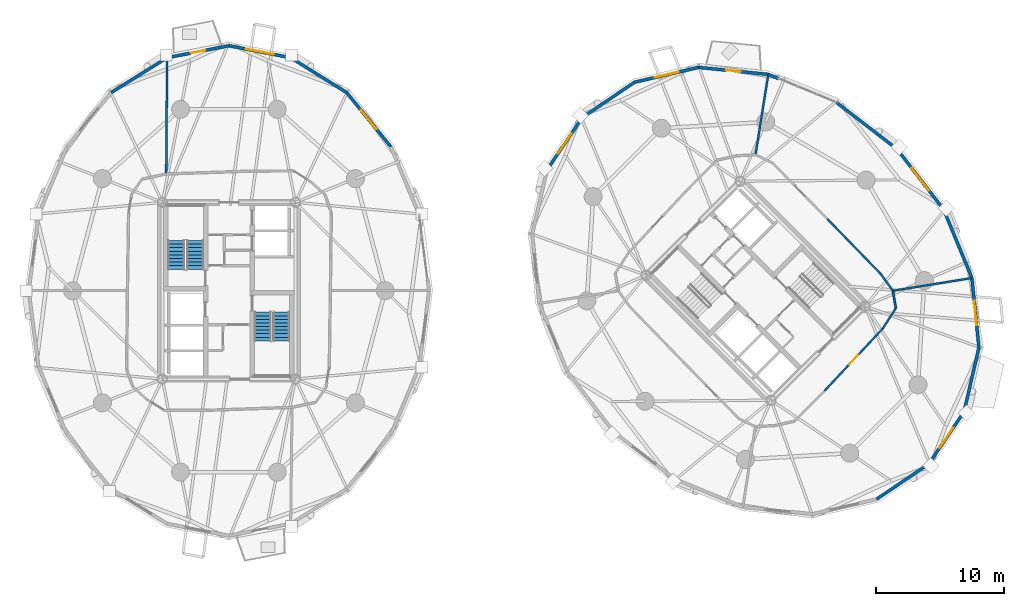
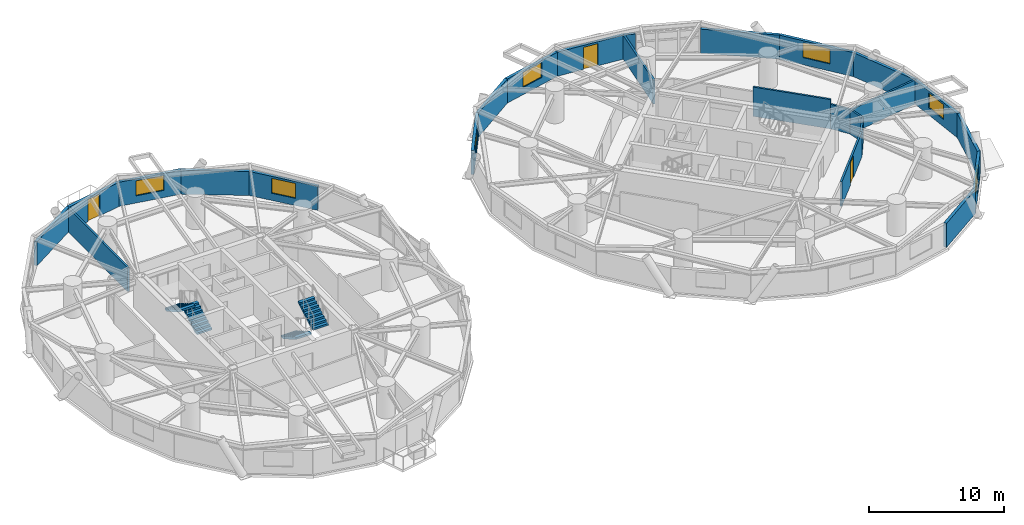
# One storey, part 14 of 18: 25 walls, 7 windows, 4 stair flights, 3 doors, 10 openings, 2 elements without a shape of their own.
"""IFC4 building model written with IfcOpenShell, lengths in metres."""

from ifc_helpers import new_model, si_unit, direction, frame, frame_2d, origin, place, context, subcontext, project, spatial, polyline, rectangle, outline, extrude, source, transform, mapped, material, layer, layer_set, type_object, element, fill, aggregate, save


model = new_model("IFC4")

# Units and contexts
model_context = context("Model", 3, precision=1e-05, world=origin(), true_north=direction((0.0, 1.0)))
body_context = subcontext(model_context, "Body", "Model", "MODEL_VIEW")
ifc_project = project(units=[si_unit("LENGTHUNIT", "METRE"), si_unit("AREAUNIT", "SQUARE_METRE"), si_unit("VOLUMEUNIT", "CUBIC_METRE"), si_unit("PLANEANGLEUNIT", "RADIAN"), si_unit("MASSUNIT", "GRAM", prefix="KILO")], contexts=[model_context])

# Site, building, storey
site_placement = place(None, origin())
site = spatial("IfcSite", under=ifc_project, at=site_placement, CompositionType="ELEMENT")
building_placement = place(site_placement, origin())
building = spatial("IfcBuilding", under=site, at=building_placement, Name="Cununo Teusaquillo Station Towers", CompositionType="ELEMENT")
storey_placement = place(building_placement, frame((0.0, 0.0, 75.969970703125)))
storey = spatial("IfcBuildingStorey", under=building, at=storey_placement, Name="L23", CompositionType="ELEMENT", Elevation=75.969970703125)

# Wall, opening, window
ifc_material_1 = material(Name="Precast concrete C40/50", Category="concrete")
ifc_layer_1 = layer(ifc_material_1, 0.239990234375)
ifc_layer_set_1 = layer_set([ifc_layer_1], Name="Precast concrete C40/50")
wall_type_1 = type_object("IfcWallType", Name="WL-EXT-240", PredefinedType="SOLIDWALL", material=ifc_layer_set_1)
wall_1_placement = place(storey_placement, frame((25.658203125, 39.927978515625, 0.0), z_axis=(0.0, 0.0, 1.0), x_axis=(0.632700781152, -0.77439635945, 0.0)))
wall_1 = element("IfcWall", 1, at=wall_1_placement, inside=storey, type_object=wall_type_1, Name="L23 Tower A Exterior Facade Wall C02", PredefinedType="SOLIDWALL", context=body_context, shape_type="SweptSolid", body=[
    extrude(rectangle(XDim=5.447998046875, YDim=0.239990234375, at=frame_2d((2.72412109375, 0.0))), origin(), (0.0, 0.0, 1.0), 2.178955078125),
])
shared_shape_1 = source(origin(), body_context, "Body", "SweptSolid", [
    extrude(rectangle(XDim=1.89990234375, YDim=1.35009765625, at=frame_2d((0.949951171875, 0.675048828125))), frame((0.0, 0.1298828125, 0.0), z_axis=(0.0, -1.0, 0.0), x_axis=(1.0, 0.0, 0.0)), (0.0, 0.0, 1.0), 0.260009765625),
])
opening_1_placement = place(wall_1_placement, frame((1.77392578125, 0.0, 0.64990234375)))
opening_1 = element("IfcOpeningElement", 2, at=opening_1_placement, cuts=wall_1, Name="Opening WN-02", PredefinedType="OPENING", context=body_context, shape_type="MappedRepresentation", body=[
    mapped(shared_shape_1, transform((0.0, 0.0, 0.0), x_axis=(1.0, 0.0, 0.0), y_axis=(0.0, 1.0, 0.0), z_axis=(0.0, 0.0, 1.0), scale=1.0)),
])
ifc_material_2 = material(Name="Operable acoustic tinted low-E double glazing", Category="glass")
window_type_1 = type_object("IfcWindowType", Name="WIN-OPER-1900", PartitioningType="DOUBLE_PANEL_VERTICAL", PredefinedType="WINDOW", material=ifc_material_2)
shared_shape_2 = source(origin(), body_context, "Body", "SweptSolid", [
    extrude(rectangle(XDim=1.89990234375, YDim=1.35009765625, at=frame_2d((0.949951171875, 0.675048828125))), frame((0.0, 0.030029296875, 0.0), z_axis=(0.0, -1.0, 0.0), x_axis=(1.0, 0.0, 0.0)), (0.0, 0.0, 1.0), 0.06005859375),
])
window_1_placement = place(opening_1_placement, origin())
window_1 = element("IfcWindow", 3, at=window_1_placement, inside=storey, type_object=window_type_1, Name="L23 Tower A Facade Window C02", OverallHeight=1.35009765625, OverallWidth=1.89990234375, PartitioningType="DOUBLE_PANEL_VERTICAL", PredefinedType="WINDOW", context=body_context, shape_type="MappedRepresentation", body=[
    mapped(shared_shape_2, transform((0.0, 0.0, 0.0), x_axis=(1.0, 0.0, 0.0), y_axis=(0.0, 1.0, 0.0), z_axis=(0.0, 0.0, 1.0), scale=1.0)),
])
fill(opening_1, window_1)

# Wall
wall_2_placement = place(storey_placement, frame((21.314697265625, 42.63671875, 0.0), z_axis=(0.0, 0.0, 1.0), x_axis=(0.848520380187, -0.529162701263, 0.0)))
element("IfcWall", 4, at=wall_2_placement, inside=storey, type_object=wall_type_1, Name="L23 Tower A Exterior Facade Wall C03", PredefinedType="SOLIDWALL", context=body_context, shape_type="SweptSolid", body=[
    extrude(rectangle(XDim=5.118896484375, YDim=0.239990234375, at=frame_2d((2.5595703125, 0.0))), origin(), (0.0, 0.0, 1.0), 2.178955078125),
])

# Wall, opening, window
wall_3_placement = place(storey_placement, frame((16.5, 43.570068359375, 0.0), z_axis=(0.0, 0.0, 1.0), x_axis=(0.981723785992, -0.190311344954, 0.0)))
wall_3 = element("IfcWall", 5, at=wall_3_placement, inside=storey, type_object=wall_type_1, Name="L23 Tower A Exterior Facade Wall C04", PredefinedType="SOLIDWALL", context=body_context, shape_type="SweptSolid", body=[
    extrude(rectangle(XDim=4.904296875, YDim=0.239990234375, at=frame_2d((2.4521484375, 0.0))), origin(), (0.0, 0.0, 1.0), 2.178955078125),
])
shared_shape_3 = source(origin(), body_context, "Body", "SweptSolid", [
    extrude(rectangle(XDim=2.199951171875, YDim=1.35009765625, at=frame_2d((1.10009765625, 0.675048828125))), frame((0.0, 0.1298828125, 0.0), z_axis=(0.0, -1.0, 0.0), x_axis=(1.0, 0.0, 0.0)), (0.0, 0.0, 1.0), 0.260009765625),
])
opening_2_placement = place(wall_3_placement, frame((1.35205078125, 0.0, 0.64990234375)))
opening_2 = element("IfcOpeningElement", 6, at=opening_2_placement, cuts=wall_3, Name="Opening WN-01", PredefinedType="OPENING", context=body_context, shape_type="MappedRepresentation", body=[
    mapped(shared_shape_3, transform((0.0, 0.0, 0.0), x_axis=(1.0, 0.0, 0.0), y_axis=(0.0, 1.0, 0.0), z_axis=(0.0, 0.0, 1.0), scale=1.0)),
])
ifc_material_3 = material(Name="Ceramic-fritted dark low-E double glazing", Category="glass")
window_type_2 = type_object("IfcWindowType", Name="WIN-FRIT-2200", PartitioningType="DOUBLE_PANEL_VERTICAL", PredefinedType="WINDOW", material=ifc_material_3)
shared_shape_4 = source(origin(), body_context, "Body", "SweptSolid", [
    extrude(rectangle(XDim=2.199951171875, YDim=1.35009765625, at=frame_2d((1.10009765625, 0.675048828125))), frame((0.0, 0.030029296875, 0.0), z_axis=(0.0, -1.0, 0.0), x_axis=(1.0, 0.0, 0.0)), (0.0, 0.0, 1.0), 0.06005859375),
])
window_2_placement = place(opening_2_placement, origin())
window_2 = element("IfcWindow", 7, at=window_2_placement, inside=storey, type_object=window_type_2, Name="L23 Tower A Facade Window C04", OverallHeight=1.35009765625, OverallWidth=2.199951171875, PartitioningType="DOUBLE_PANEL_VERTICAL", PredefinedType="WINDOW", context=body_context, shape_type="MappedRepresentation", body=[
    mapped(shared_shape_4, transform((0.0, 0.0, 0.0), x_axis=(1.0, 0.0, 0.0), y_axis=(0.0, 1.0, 0.0), z_axis=(0.0, 0.0, 1.0), scale=1.0)),
])
fill(opening_2, window_2)

# Wall, opening, door
wall_4_placement = place(storey_placement, frame((11.685302734375, 42.63671875, 0.0), z_axis=(0.0, 0.0, 1.0), x_axis=(0.981723785992, 0.190311344954, 0.0)))
wall_4 = element("IfcWall", 8, at=wall_4_placement, inside=storey, type_object=wall_type_1, Name="L23 Tower A Exterior Facade Wall C05", PredefinedType="SOLIDWALL", context=body_context, shape_type="SweptSolid", body=[
    extrude(rectangle(XDim=4.904296875, YDim=0.239990234375, at=frame_2d((2.4521484375, 0.0))), origin(), (0.0, 0.0, 1.0), 2.178955078125),
])
shared_shape_5 = source(origin(), body_context, "Body", "SweptSolid", [
    extrude(rectangle(XDim=1.14990234375, YDim=2.0048828125, at=frame_2d((0.574951171875, 1.00244140625))), frame((0.0, 0.1298828125, 0.0), z_axis=(0.0, -1.0, 0.0), x_axis=(1.0, 0.0, 0.0)), (0.0, 0.0, 1.0), 0.260009765625),
])
opening_3_placement = place(wall_4_placement, frame((1.876953125, 0.0, 0.0)))
opening_3 = element("IfcOpeningElement", 9, at=opening_3_placement, cuts=wall_4, Name="Opening ED-03", PredefinedType="OPENING", context=body_context, shape_type="MappedRepresentation", body=[
    mapped(shared_shape_5, transform((0.0, 0.0, 0.0), x_axis=(1.0, 0.0, 0.0), y_axis=(0.0, 1.0, 0.0), z_axis=(0.0, 0.0, 1.0), scale=1.0)),
])
ifc_material_4 = material(Name="Anodised dark bronze aluminium EN AW-6063-T6", Category="aluminium")
door_type_1 = type_object("IfcDoorType", Name="DR-EXT-BAL", OperationType="NOTDEFINED", PredefinedType="DOOR", material=ifc_material_4)
shared_shape_6 = source(origin(), body_context, "Body", "SweptSolid", [
    extrude(rectangle(XDim=1.14990234375, YDim=2.0048828125, at=frame_2d((0.574951171875, 1.00244140625))), frame((0.0, 0.02490234375, 0.0), z_axis=(0.0, -1.0, 0.0), x_axis=(1.0, 0.0, 0.0)), (0.0, 0.0, 1.0), 0.050048828125),
])
door_1_placement = place(opening_3_placement, origin())
door_1 = element("IfcDoor", 10, at=door_1_placement, inside=storey, type_object=door_type_1, Name="L23 Tower A Tree Balcony Door C05", OperationType="SINGLE_SWING_LEFT", OverallHeight=2.0048828125, OverallWidth=1.14990234375, PredefinedType="DOOR", context=body_context, shape_type="MappedRepresentation", body=[
    mapped(shared_shape_6, transform((0.0, 0.0, 0.0), x_axis=(1.0, 0.0, 0.0), y_axis=(0.0, 1.0, 0.0), z_axis=(0.0, 0.0, 1.0), scale=1.0)),
])
fill(opening_3, door_1)

# Walls
wall_5_placement = place(storey_placement, frame((7.341796875, 39.927978515625, 0.0), z_axis=(0.0, 0.0, 1.0), x_axis=(0.848520380187, 0.529162701263, 0.0)))
element("IfcWall", 11, at=wall_5_placement, inside=storey, type_object=wall_type_1, Name="L23 Tower A Exterior Facade Wall C06", PredefinedType="SOLIDWALL", context=body_context, shape_type="SweptSolid", body=[
    extrude(rectangle(XDim=5.118896484375, YDim=0.239990234375, at=frame_2d((2.5595703125, 0.0))), origin(), (0.0, 0.0, 1.0), 2.178955078125),
])
wall_6_placement = place(storey_placement, frame((63.811279296875, 39.145263671875, 0.0), z_axis=(0.0, 0.0, 1.0), x_axis=(0.791982052206, -0.61054437102, 0.0)))
element("IfcWall", 12, at=wall_6_placement, inside=storey, type_object=wall_type_1, Name="L23 Tower B Exterior Facade Wall C00", PredefinedType="SOLIDWALL", context=body_context, shape_type="SweptSolid", body=[
    extrude(rectangle(XDim=5.942138671875, YDim=0.239990234375, at=frame_2d((2.97119140625, 0.0))), origin(), (0.0, 0.0, 1.0), 2.178955078125),
])
wall_7_placement = place(storey_placement, frame((58.4873046875, 41.33935546875, 0.0), z_axis=(0.0, 0.0, 1.0), x_axis=(0.924556017656, -0.381046152345, 0.0)))
element("IfcWall", 13, at=wall_7_placement, inside=storey, type_object=wall_type_1, Name="L23 Tower B Column Pier Cladding Wall C01-PA", PredefinedType="SOLIDWALL", context=body_context, shape_type="SweptSolid", body=[
    extrude(rectangle(XDim=0.8701171875, YDim=0.239990234375, at=frame_2d((0.43505859375, 0.0))), origin(), (0.0, 0.0, 1.0), 2.178955078125),
])

# Wall, opening, door
wall_8_placement = place(storey_placement, frame((53.066650390625, 41.885009765625, 0.0), z_axis=(0.0, 0.0, 1.0), x_axis=(0.994971754311, -0.10015591906, 0.0)))
wall_8 = element("IfcWall", 14, at=wall_8_placement, inside=storey, type_object=wall_type_1, Name="L23 Tower B Exterior Facade Wall C02", PredefinedType="SOLIDWALL", context=body_context, shape_type="SweptSolid", body=[
    extrude(rectangle(XDim=5.447998046875, YDim=0.239990234375, at=frame_2d((2.72412109375, 0.0))), origin(), (0.0, 0.0, 1.0), 2.178955078125),
])
opening_4_placement = place(wall_8_placement, frame((2.14892578125, 0.0, 0.0)))
opening_4 = element("IfcOpeningElement", 15, at=opening_4_placement, cuts=wall_8, Name="Opening ED-03", PredefinedType="OPENING", context=body_context, shape_type="MappedRepresentation", body=[
    mapped(shared_shape_5, transform((0.0, 0.0, 0.0), x_axis=(1.0, 0.0, 0.0), y_axis=(0.0, 1.0, 0.0), z_axis=(0.0, 0.0, 1.0), scale=1.0)),
])
door_2_placement = place(opening_4_placement, origin())
door_2 = element("IfcDoor", 16, at=door_2_placement, inside=storey, type_object=door_type_1, Name="L23 Tower B Tree Balcony Door C02", OperationType="SINGLE_SWING_LEFT", OverallHeight=2.0048828125, OverallWidth=1.14990234375, PredefinedType="DOOR", context=body_context, shape_type="MappedRepresentation", body=[
    mapped(shared_shape_6, transform((0.0, 0.0, 0.0), x_axis=(1.0, 0.0, 0.0), y_axis=(0.0, 1.0, 0.0), z_axis=(0.0, 0.0, 1.0), scale=1.0)),
])
fill(opening_4, door_2)

# Wall, opening, window
wall_9_placement = place(storey_placement, frame((48.080078125, 40.72900390625, 0.0), z_axis=(0.0, 0.0, 1.0), x_axis=(0.974165631126, 0.225834725257, 0.0)))
wall_9 = element("IfcWall", 17, at=wall_9_placement, inside=storey, type_object=wall_type_1, Name="L23 Tower B Exterior Facade Wall C03", PredefinedType="SOLIDWALL", context=body_context, shape_type="SweptSolid", body=[
    extrude(rectangle(XDim=5.118896484375, YDim=0.239990234375, at=frame_2d((2.5595703125, 0.0))), origin(), (0.0, 0.0, 1.0), 2.178955078125),
])
opening_5_placement = place(wall_9_placement, frame((1.60888671875, 0.0, 0.64990234375)))
opening_5 = element("IfcOpeningElement", 18, at=opening_5_placement, cuts=wall_9, Name="Opening WN-02", PredefinedType="OPENING", context=body_context, shape_type="MappedRepresentation", body=[
    mapped(shared_shape_1, transform((0.0, 0.0, 0.0), x_axis=(1.0, 0.0, 0.0), y_axis=(0.0, 1.0, 0.0), z_axis=(0.0, 0.0, 1.0), scale=1.0)),
])
window_3_placement = place(opening_5_placement, origin())
window_3 = element("IfcWindow", 19, at=window_3_placement, inside=storey, type_object=window_type_1, Name="L23 Tower B Facade Window C03", OverallHeight=1.35009765625, OverallWidth=1.89990234375, PartitioningType="DOUBLE_PANEL_VERTICAL", PredefinedType="WINDOW", context=body_context, shape_type="MappedRepresentation", body=[
    mapped(shared_shape_2, transform((0.0, 0.0, 0.0), x_axis=(1.0, 0.0, 0.0), y_axis=(0.0, 1.0, 0.0), z_axis=(0.0, 0.0, 1.0), scale=1.0)),
])
fill(opening_5, window_3)

# Wall
wall_10_placement = place(storey_placement, frame((44.015380859375, 37.984619140625, 0.0), z_axis=(0.0, 0.0, 1.0), x_axis=(0.828781148131, 0.559572880421, 0.0)))
element("IfcWall", 20, at=wall_10_placement, inside=storey, type_object=wall_type_1, Name="L23 Tower B Exterior Facade Wall C04", PredefinedType="SOLIDWALL", context=body_context, shape_type="SweptSolid", body=[
    extrude(rectangle(XDim=4.904541015625, YDim=0.239990234375, at=frame_2d((2.4521484375, 0.0))), origin(), (0.0, 0.0, 1.0), 2.178955078125),
])

# Wall, opening, window
wall_11_placement = place(storey_placement, frame((41.27099609375, 33.919921875, 0.0), z_axis=(0.0, 0.0, 1.0), x_axis=(0.559572880421, 0.828781148131, 0.0)))
wall_11 = element("IfcWall", 21, at=wall_11_placement, inside=storey, type_object=wall_type_1, Name="L23 Tower B Exterior Facade Wall C05", PredefinedType="SOLIDWALL", context=body_context, shape_type="SweptSolid", body=[
    extrude(rectangle(XDim=4.904541015625, YDim=0.239990234375, at=frame_2d((2.4521484375, 0.0))), origin(), (0.0, 0.0, 1.0), 2.178955078125),
])
opening_6_placement = place(wall_11_placement, frame((1.501953125, 0.0, 0.64990234375)))
opening_6 = element("IfcOpeningElement", 22, at=opening_6_placement, cuts=wall_11, Name="Opening WN-02", PredefinedType="OPENING", context=body_context, shape_type="MappedRepresentation", body=[
    mapped(shared_shape_1, transform((0.0, 0.0, 0.0), x_axis=(1.0, 0.0, 0.0), y_axis=(0.0, 1.0, 0.0), z_axis=(0.0, 0.0, 1.0), scale=1.0)),
])
window_4_placement = place(opening_6_placement, origin())
window_4 = element("IfcWindow", 23, at=window_4_placement, inside=storey, type_object=window_type_1, Name="L23 Tower B Facade Window C05", OverallHeight=1.35009765625, OverallWidth=1.89990234375, PartitioningType="DOUBLE_PANEL_VERTICAL", PredefinedType="WINDOW", context=body_context, shape_type="MappedRepresentation", body=[
    mapped(shared_shape_2, transform((0.0, 0.0, 0.0), x_axis=(1.0, 0.0, 0.0), y_axis=(0.0, 1.0, 0.0), z_axis=(0.0, 0.0, 1.0), scale=1.0)),
])
fill(opening_6, window_4)

# Wall
wall_12_placement = place(storey_placement, frame((70.984619140625, 11.015380859375, 0.0), z_axis=(0.0, 0.0, 1.0), x_axis=(-0.828781148131, -0.559572880421, 0.0)))
element("IfcWall", 24, at=wall_12_placement, inside=storey, type_object=wall_type_1, Name="L23 Tower B Exterior Facade Wall C14", PredefinedType="SOLIDWALL", context=body_context, shape_type="SweptSolid", body=[
    extrude(rectangle(XDim=4.904541015625, YDim=0.239990234375, at=frame_2d((2.4521484375, 0.0))), origin(), (0.0, 0.0, 1.0), 2.178955078125),
])

# Wall, opening, window
wall_13_placement = place(storey_placement, frame((73.72900390625, 15.080078125, 0.0), z_axis=(0.0, 0.0, 1.0), x_axis=(-0.559572880421, -0.828781148131, 0.0)))
wall_13 = element("IfcWall", 25, at=wall_13_placement, inside=storey, type_object=wall_type_1, Name="L23 Tower B Exterior Facade Wall C15", PredefinedType="SOLIDWALL", context=body_context, shape_type="SweptSolid", body=[
    extrude(rectangle(XDim=4.904541015625, YDim=0.239990234375, at=frame_2d((2.4521484375, 0.0))), origin(), (0.0, 0.0, 1.0), 2.178955078125),
])
opening_7_placement = place(wall_13_placement, frame((1.501953125, 0.0, 0.64990234375)))
opening_7 = element("IfcOpeningElement", 26, at=opening_7_placement, cuts=wall_13, Name="Opening WN-02", PredefinedType="OPENING", context=body_context, shape_type="MappedRepresentation", body=[
    mapped(shared_shape_1, transform((0.0, 0.0, 0.0), x_axis=(1.0, 0.0, 0.0), y_axis=(0.0, 1.0, 0.0), z_axis=(0.0, 0.0, 1.0), scale=1.0)),
])
window_5_placement = place(opening_7_placement, origin())
window_5 = element("IfcWindow", 27, at=window_5_placement, inside=storey, type_object=window_type_1, Name="L23 Tower B Facade Window C15", OverallHeight=1.35009765625, OverallWidth=1.89990234375, PartitioningType="DOUBLE_PANEL_VERTICAL", PredefinedType="WINDOW", context=body_context, shape_type="MappedRepresentation", body=[
    mapped(shared_shape_2, transform((0.0, 0.0, 0.0), x_axis=(1.0, 0.0, 0.0), y_axis=(0.0, 1.0, 0.0), z_axis=(0.0, 0.0, 1.0), scale=1.0)),
])
fill(opening_7, window_5)

# Wall
wall_14_placement = place(storey_placement, frame((74.885009765625, 20.066650390625, 0.0), z_axis=(0.0, 0.0, 1.0), x_axis=(-0.225834725257, -0.974165631126, 0.0)))
element("IfcWall", 28, at=wall_14_placement, inside=storey, type_object=wall_type_1, Name="L23 Tower B Exterior Facade Wall C16", PredefinedType="SOLIDWALL", context=body_context, shape_type="SweptSolid", body=[
    extrude(rectangle(XDim=5.118896484375, YDim=0.239990234375, at=frame_2d((2.5595703125, 0.0))), origin(), (0.0, 0.0, 1.0), 2.178955078125),
])

# Wall, opening, window
wall_15_placement = place(storey_placement, frame((74.33935546875, 25.4873046875, 0.0), z_axis=(0.0, 0.0, 1.0), x_axis=(0.10015591906, -0.994971754311, 0.0)))
wall_15 = element("IfcWall", 29, at=wall_15_placement, inside=storey, type_object=wall_type_1, Name="L23 Tower B Exterior Facade Wall C17", PredefinedType="SOLIDWALL", context=body_context, shape_type="SweptSolid", body=[
    extrude(rectangle(XDim=5.447998046875, YDim=0.239990234375, at=frame_2d((2.72412109375, 0.0))), origin(), (0.0, 0.0, 1.0), 2.178955078125),
])
opening_8_placement = place(wall_15_placement, frame((1.77392578125, 0.0, 0.64990234375)))
opening_8 = element("IfcOpeningElement", 30, at=opening_8_placement, cuts=wall_15, Name="Opening WN-02", PredefinedType="OPENING", context=body_context, shape_type="MappedRepresentation", body=[
    mapped(shared_shape_1, transform((0.0, 0.0, 0.0), x_axis=(1.0, 0.0, 0.0), y_axis=(0.0, 1.0, 0.0), z_axis=(0.0, 0.0, 1.0), scale=1.0)),
])
window_6_placement = place(opening_8_placement, origin())
window_6 = element("IfcWindow", 31, at=window_6_placement, inside=storey, type_object=window_type_1, Name="L23 Tower B Facade Window C17", OverallHeight=1.35009765625, OverallWidth=1.89990234375, PartitioningType="DOUBLE_PANEL_VERTICAL", PredefinedType="WINDOW", context=body_context, shape_type="MappedRepresentation", body=[
    mapped(shared_shape_2, transform((0.0, 0.0, 0.0), x_axis=(1.0, 0.0, 0.0), y_axis=(0.0, 1.0, 0.0), z_axis=(0.0, 0.0, 1.0), scale=1.0)),
])
fill(opening_8, window_6)

# Wall
wall_16_placement = place(storey_placement, frame((72.145263671875, 30.811279296875, 0.0), z_axis=(0.0, 0.0, 1.0), x_axis=(0.381027003055, -0.924563909604, 0.0)))
element("IfcWall", 32, at=wall_16_placement, inside=storey, type_object=wall_type_1, Name="L23 Tower B Exterior Facade Wall C18", PredefinedType="SOLIDWALL", context=body_context, shape_type="SweptSolid", body=[
    extrude(rectangle(XDim=5.75830078125, YDim=0.239990234375, at=frame_2d((2.879150390625, 0.0))), origin(), (0.0, 0.0, 1.0), 2.178955078125),
])

# Wall, opening, window
wall_17_placement = place(storey_placement, frame((68.517333984375, 35.517333984375, 0.0), z_axis=(0.0, 0.0, 1.0), x_axis=(0.61054437102, -0.791982052206, 0.0)))
wall_17 = element("IfcWall", 33, at=wall_17_placement, inside=storey, type_object=wall_type_1, Name="L23 Tower B Exterior Facade Wall C19", PredefinedType="SOLIDWALL", context=body_context, shape_type="SweptSolid", body=[
    extrude(rectangle(XDim=5.942138671875, YDim=0.239990234375, at=frame_2d((2.97119140625, 0.0))), origin(), (0.0, 0.0, 1.0), 2.178955078125),
])
opening_9_placement = place(wall_17_placement, frame((1.87109375, 0.0, 0.64990234375)))
opening_9 = element("IfcOpeningElement", 34, at=opening_9_placement, cuts=wall_17, Name="Opening WN-01", PredefinedType="OPENING", context=body_context, shape_type="MappedRepresentation", body=[
    mapped(shared_shape_3, transform((0.0, 0.0, 0.0), x_axis=(1.0, 0.0, 0.0), y_axis=(0.0, 1.0, 0.0), z_axis=(0.0, 0.0, 1.0), scale=1.0)),
])
window_7_placement = place(opening_9_placement, origin())
window_7 = element("IfcWindow", 35, at=window_7_placement, inside=storey, type_object=window_type_2, Name="L23 Tower B Facade Window C19", OverallHeight=1.35009765625, OverallWidth=2.199951171875, PartitioningType="DOUBLE_PANEL_VERTICAL", PredefinedType="WINDOW", context=body_context, shape_type="MappedRepresentation", body=[
    mapped(shared_shape_4, transform((0.0, 0.0, 0.0), x_axis=(1.0, 0.0, 0.0), y_axis=(0.0, 1.0, 0.0), z_axis=(0.0, 0.0, 1.0), scale=1.0)),
])
fill(opening_9, window_7)

# Wall, opening, door
ifc_material_5 = material(Name="Fire-rated gypsum plasterboard partition assembly", Category="gypsum")
ifc_layer_2 = layer(ifc_material_5, 0.14990234375)
ifc_layer_set_2 = layer_set([ifc_layer_2], Name="Fire-rated gypsum plasterboard partition assembly")
wall_type_2 = type_object("IfcWallType", Name="WL-PART-150", PredefinedType="PARTITIONING", material=ifc_layer_set_2)
wall_18_placement = place(storey_placement, frame((62.8671875, 16.70166015625, 0.0), z_axis=(0.0, 0.0, 1.0), x_axis=(0.682449206191, 0.73093302085, 0.0)))
wall_18 = element("IfcWall", 36, at=wall_18_placement, inside=storey, type_object=wall_type_2, Name="L23 Tower B Corridor Ring Wall C15", PredefinedType="PARTITIONING", context=body_context, shape_type="SweptSolid", body=[
    extrude(rectangle(XDim=6.641845703125, YDim=0.14990234375, at=frame_2d((3.32080078125, 0.0))), origin(), (0.0, 0.0, 1.0), 2.22509765625),
])
shared_shape_7 = source(origin(), body_context, "Body", "SweptSolid", [
    extrude(rectangle(XDim=1.0, YDim=2.014892578125, at=frame_2d((0.5, 1.00732421875))), frame((0.0, 0.0849609375, 0.0), z_axis=(0.0, -1.0, 0.0), x_axis=(1.0, 0.0, 0.0)), (0.0, 0.0, 1.0), 0.169921875),
])
opening_10_placement = place(wall_18_placement, frame((2.82080078125, 0.0, 0.0)))
opening_10 = element("IfcOpeningElement", 37, at=opening_10_placement, cuts=wall_18, Name="Opening D-AC1", PredefinedType="OPENING", context=body_context, shape_type="MappedRepresentation", body=[
    mapped(shared_shape_7, transform((0.0, 0.0, 0.0), x_axis=(1.0, 0.0, 0.0), y_axis=(0.0, 1.0, 0.0), z_axis=(0.0, 0.0, 1.0), scale=1.0)),
])
ifc_material_6 = material(Name="Acoustic solid-core hardwood leaf assembly", Category="wood")
door_type_2 = type_object("IfcDoorType", Name="DR-ACC-1000", OperationType="NOTDEFINED", PredefinedType="DOOR", material=ifc_material_6)
shared_shape_8 = source(origin(), body_context, "Body", "SweptSolid", [
    extrude(rectangle(XDim=1.0, YDim=2.014892578125, at=frame_2d((0.5, 1.00732421875))), frame((0.0, 0.02490234375, 0.0), z_axis=(0.0, -1.0, 0.0), x_axis=(1.0, 0.0, 0.0)), (0.0, 0.0, 1.0), 0.050048828125),
])
door_3_placement = place(opening_10_placement, origin())
door_3 = element("IfcDoor", 38, at=door_3_placement, inside=storey, type_object=door_type_2, Name="L23 Tower B Public Accessible Restroom WC Entrance Door", OperationType="SINGLE_SWING_LEFT", OverallHeight=2.014892578125, OverallWidth=1.0, PredefinedType="DOOR", context=body_context, shape_type="MappedRepresentation", body=[
    mapped(shared_shape_8, transform((0.0, 0.0, 0.0), x_axis=(1.0, 0.0, 0.0), y_axis=(0.0, 1.0, 0.0), z_axis=(0.0, 0.0, 1.0), scale=1.0)),
])
fill(opening_10, door_3)

# Walls
wall_19_placement = place(storey_placement, frame((67.39990234375, 21.556396484375, 0.0), z_axis=(0.0, 0.0, 1.0), x_axis=(0.542247692187, 0.840218686009, 0.0)))
element("IfcWall", 39, at=wall_19_placement, inside=storey, type_object=wall_type_2, Name="L23 Tower B Corridor Ring Wall C16", PredefinedType="PARTITIONING", context=body_context, shape_type="SweptSolid", body=[
    extrude(rectangle(XDim=1.886962890625, YDim=0.14990234375, at=frame_2d((0.943359375, 0.0))), origin(), (0.0, 0.0, 1.0), 2.22509765625),
])
wall_20_placement = place(storey_placement, frame((68.423095703125, 23.141845703125, 0.0), z_axis=(0.0, 0.0, 1.0), x_axis=(-0.174796562349, 0.984604571283, 0.0)))
element("IfcWall", 40, at=wall_20_placement, inside=storey, type_object=wall_type_2, Name="L23 Tower B Corridor Ring Wall C17", PredefinedType="PARTITIONING", context=body_context, shape_type="SweptSolid", body=[
    extrude(rectangle(XDim=1.377197265625, YDim=0.14990234375, at=frame_2d((0.6884765625, 0.0))), origin(), (0.0, 0.0, 1.0), 2.22509765625),
])
wall_21_placement = place(storey_placement, frame((68.182373046875, 24.497802734375, 0.0), z_axis=(0.0, 0.0, 1.0), x_axis=(-0.582532339525, 0.812807525437, 0.0)))
element("IfcWall", 41, at=wall_21_placement, inside=storey, type_object=wall_type_2, Name="L23 Tower B Corridor Ring Wall C18", PredefinedType="PARTITIONING", context=body_context, shape_type="SweptSolid", body=[
    extrude(rectangle(XDim=1.605224609375, YDim=0.14990234375, at=frame_2d((0.802734375, 0.0))), origin(), (0.0, 0.0, 1.0), 2.22509765625),
])
wall_22_placement = place(storey_placement, frame((67.247314453125, 25.802490234375, 0.0), z_axis=(0.0, 0.0, 1.0), x_axis=(-0.696771261687, 0.71729339108, 0.0)))
element("IfcWall", 42, at=wall_22_placement, inside=storey, type_object=wall_type_2, Name="L23 Tower B Corridor Ring Wall C19", PredefinedType="PARTITIONING", context=body_context, shape_type="SweptSolid", body=[
    extrude(rectangle(XDim=5.971923828125, YDim=0.14990234375, at=frame_2d((2.98583984375, 0.0))), origin(), (0.0, 0.0, 1.0), 2.655029296875),
])
ifc_material_7 = material(Name="Fire-rated gypsum plasterboard partition assembly", Category="gypsum")
ifc_layer_3 = layer(ifc_material_7, 0.159912109375)
ifc_layer_set_3 = layer_set([ifc_layer_3], Name="Fire-rated gypsum plasterboard partition assembly")
wall_type_3 = type_object("IfcWallType", Name="WL-PART-160", PredefinedType="PARTITIONING", material=ifc_layer_set_3)
wall_23_placement = place(storey_placement, frame((11.619873046875, 33.587890625, 0.0), z_axis=(0.0, 0.0, 1.0), x_axis=(0.007921667836, 0.999968623097, 0.0)))
element("IfcWall", 43, at=wall_23_placement, inside=storey, type_object=wall_type_3, Name="L23 Tower A Radial Suite Partition R02", PredefinedType="PARTITIONING", context=body_context, shape_type="SweptSolid", body=[
    extrude(rectangle(XDim=9.030029296875, YDim=0.159912109375, at=frame_2d((4.51513671875, 0.0))), origin(), (0.0, 0.0, 1.0), 2.178955078125),
])
wall_24_placement = place(storey_placement, frame((57.4951171875, 35.082763671875, 0.0), z_axis=(0.0, 0.0, 1.0), x_axis=(0.156619688156, 0.987658986332, 0.0)))
element("IfcWall", 44, at=wall_24_placement, inside=storey, type_object=wall_type_3, Name="L23 Tower B Radial Suite Partition R01", PredefinedType="PARTITIONING", context=body_context, shape_type="SweptSolid", body=[
    extrude(rectangle(XDim=6.314697265625, YDim=0.159912109375, at=frame_2d((3.1572265625, 0.0))), origin(), (0.0, 0.0, 1.0), 2.178955078125),
])
wall_25_placement = place(storey_placement, frame((68.182373046875, 24.497802734375, 0.0), z_axis=(0.0, 0.0, 1.0), x_axis=(0.987330591038, 0.158676727973, 0.0)))
element("IfcWall", 45, at=wall_25_placement, inside=storey, type_object=wall_type_3, Name="L23 Tower B Radial Suite Partition R04", PredefinedType="PARTITIONING", context=body_context, shape_type="SweptSolid", body=[
    extrude(rectangle(XDim=6.216064453125, YDim=0.159912109375, at=frame_2d((3.10791015625, 0.0))), origin(), (0.0, 0.0, 1.0), 2.178955078125),
])

# Stair, stair flights
ifc_material_8 = material(Name="Concrete C50/60", Category="concrete")
stair_type = type_object("IfcStairType", Name="ST-TWR-1300", PredefinedType="HALF_TURN_STAIR", material=ifc_material_8)
stair_1_placement = place(storey_placement, origin())
stair_1 = element("IfcStair", 46, at=stair_1_placement, inside=storey, type_object=stair_type, Name="L23 Tower A Protected Core Exit Stair 1", PredefinedType="HALF_TURN_STAIR")
ifc_material_9 = material(Name="Concrete C50/60", Category="concrete")
stair_flight_type = type_object("IfcStairFlightType", Name="SFL-TWR-1300", PredefinedType="STRAIGHT", material=ifc_material_9)
stair_flight_1_placement = place(storey_placement, frame((13.8701171875, 26.169921875, 0.0), z_axis=(0.0, 0.0, 1.0), x_axis=(0.0, 1.0, 0.0)))
stair_flight_1 = element("IfcStairFlight", 47, at=stair_flight_1_placement, type_object=stair_flight_type, Name="ST-T1-1 flight 1", NumberOfRisers=9, NumberOfTreads=8, PredefinedType="STRAIGHT", RiserHeight=0.161666667, TreadLength=0.28, context=body_context, shape_type="SweptSolid", body=[
    extrude(outline(polyline([(0.0, 0.0), (0.0, 0.16162109375), (0.280029296875, 0.16162109375), (0.280029296875, 0.3232421875), (0.56005859375, 0.3232421875), (0.56005859375, 0.485107421875), (0.840087890625, 0.485107421875), (0.840087890625, 0.646728515625), (1.1201171875, 0.646728515625), (1.1201171875, 0.808349609375), (1.39990234375, 0.808349609375), (1.39990234375, 0.969970703125), (1.679931640625, 0.969970703125), (1.679931640625, 1.131591796875), (1.9599609375, 1.131591796875), (1.9599609375, 1.293212890625), (2.239990234375, 1.293212890625), (2.239990234375, 1.455078125), (2.239990234375, 1.1201171875), (0.2998046875, 0.0), (0.0, 0.0)])), frame((0.0, 0.64990234375, 0.0), z_axis=(0.0, -1.0, 0.0), x_axis=(1.0, 0.0, 0.0)), (0.0, 0.0, 1.0), 1.300048828125),
])
stair_flight_2_placement = place(storey_placement, frame((12.409912109375, 28.409912109375, 1.455078125), z_axis=(0.0, 0.0, 1.0), x_axis=(0.0, -1.0, 0.0)))
stair_flight_2 = element("IfcStairFlight", 48, at=stair_flight_2_placement, type_object=stair_flight_type, Name="ST-T1-1 flight 2", NumberOfRisers=9, NumberOfTreads=8, PredefinedType="STRAIGHT", RiserHeight=0.161666667, TreadLength=0.28, context=body_context, shape_type="SweptSolid", body=[
    extrude(outline(polyline([(0.0, 0.0), (0.0, 0.16162109375), (0.280029296875, 0.16162109375), (0.280029296875, 0.3232421875), (0.56005859375, 0.3232421875), (0.56005859375, 0.485107421875), (0.840087890625, 0.485107421875), (0.840087890625, 0.646728515625), (1.1201171875, 0.646728515625), (1.1201171875, 0.808349609375), (1.39990234375, 0.808349609375), (1.39990234375, 0.969970703125), (1.679931640625, 0.969970703125), (1.679931640625, 1.131591796875), (1.9599609375, 1.131591796875), (1.9599609375, 1.293212890625), (2.239990234375, 1.293212890625), (2.239990234375, 1.455078125), (2.239990234375, 1.1201171875), (0.2998046875, 0.0), (0.0, 0.0)])), frame((0.0, 0.64990234375, 0.0), z_axis=(0.0, -1.0, 0.0), x_axis=(1.0, 0.0, 0.0)), (0.0, 0.0, 1.0), 1.300048828125),
])
aggregate(stair_1, [stair_flight_1, stair_flight_2])

stair_2_placement = place(storey_placement, origin())
stair_2 = element("IfcStair", 49, at=stair_2_placement, inside=storey, type_object=stair_type, Name="L23 Tower A Protected Core Exit Stair 2", PredefinedType="HALF_TURN_STAIR")
stair_flight_3_placement = place(storey_placement, frame((19.1298828125, 22.830078125, 0.0), z_axis=(0.0, 0.0, 1.0), x_axis=(0.0, -1.0, 0.0)))
stair_flight_3 = element("IfcStairFlight", 50, at=stair_flight_3_placement, type_object=stair_flight_type, Name="ST-T1-2 flight 1", NumberOfRisers=9, NumberOfTreads=8, PredefinedType="STRAIGHT", RiserHeight=0.161666667, TreadLength=0.28, context=body_context, shape_type="SweptSolid", body=[
    extrude(outline(polyline([(0.0, 0.0), (0.0, 0.16162109375), (0.280029296875, 0.16162109375), (0.280029296875, 0.3232421875), (0.56005859375, 0.3232421875), (0.56005859375, 0.485107421875), (0.840087890625, 0.485107421875), (0.840087890625, 0.646728515625), (1.1201171875, 0.646728515625), (1.1201171875, 0.808349609375), (1.39990234375, 0.808349609375), (1.39990234375, 0.969970703125), (1.679931640625, 0.969970703125), (1.679931640625, 1.131591796875), (1.9599609375, 1.131591796875), (1.9599609375, 1.293212890625), (2.239990234375, 1.293212890625), (2.239990234375, 1.455078125), (2.239990234375, 1.1201171875), (0.2998046875, 0.0), (0.0, 0.0)])), frame((0.0, 0.64990234375, 0.0), z_axis=(0.0, -1.0, 0.0), x_axis=(1.0, 0.0, 0.0)), (0.0, 0.0, 1.0), 1.300048828125),
])
stair_flight_4_placement = place(storey_placement, frame((20.590087890625, 20.590087890625, 1.455078125), z_axis=(0.0, 0.0, 1.0), x_axis=(0.0, 1.0, 0.0)))
stair_flight_4 = element("IfcStairFlight", 51, at=stair_flight_4_placement, type_object=stair_flight_type, Name="ST-T1-2 flight 2", NumberOfRisers=9, NumberOfTreads=8, PredefinedType="STRAIGHT", RiserHeight=0.161666667, TreadLength=0.28, context=body_context, shape_type="SweptSolid", body=[
    extrude(outline(polyline([(0.0, 0.0), (0.0, 0.16162109375), (0.280029296875, 0.16162109375), (0.280029296875, 0.3232421875), (0.56005859375, 0.3232421875), (0.56005859375, 0.485107421875), (0.840087890625, 0.485107421875), (0.840087890625, 0.646728515625), (1.1201171875, 0.646728515625), (1.1201171875, 0.808349609375), (1.39990234375, 0.808349609375), (1.39990234375, 0.969970703125), (1.679931640625, 0.969970703125), (1.679931640625, 1.131591796875), (1.9599609375, 1.131591796875), (1.9599609375, 1.293212890625), (2.239990234375, 1.293212890625), (2.239990234375, 1.455078125), (2.239990234375, 1.1201171875), (0.2998046875, 0.0), (0.0, 0.0)])), frame((0.0, 0.64990234375, 0.0), z_axis=(0.0, -1.0, 0.0), x_axis=(1.0, 0.0, 0.0)), (0.0, 0.0, 1.0), 1.300048828125),
])
aggregate(stair_2, [stair_flight_3, stair_flight_4])

save(model, "model.ifc")
